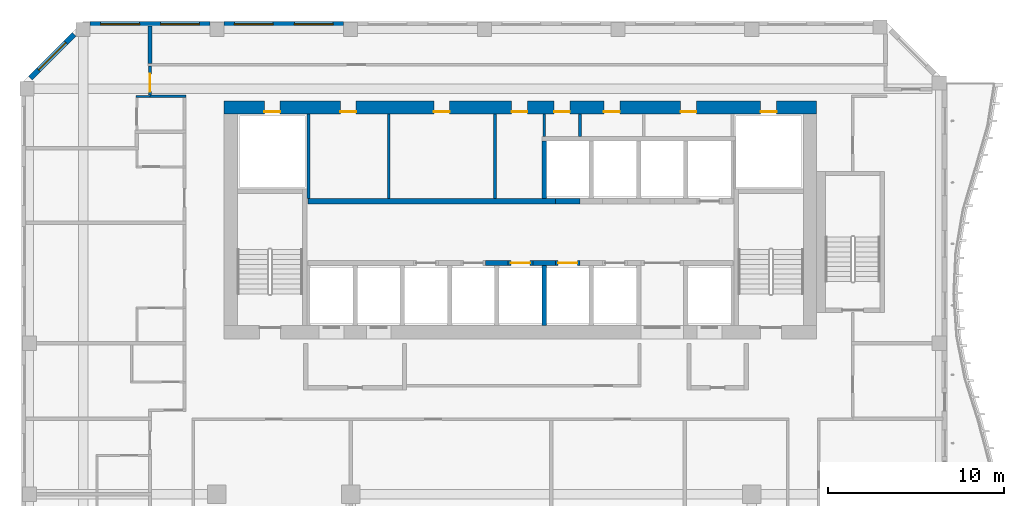
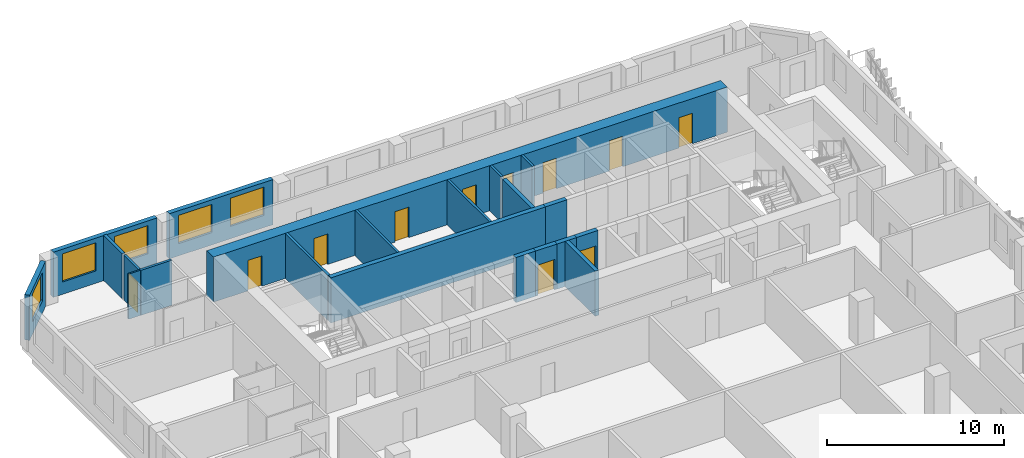
# One storey, part 8 of 21: 21 walls, 11 doors, 5 windows, 16 openings.
"""IFC4 building model written with IfcOpenShell, lengths in metres."""

import ifcopenshell
import ifcopenshell.guid

model = None  # the IFC model being written
_history = None  # IfcOwnerHistory: only IFC2X3 demands one
_inside = {}  # id of a spatial element -> (the spatial element, [elements in it])
_under = {}  # id of a project, library or spatial element -> (it, [spatial elements below it])
_declared = {}  # id of a project -> (the project, [libraries it declares])
_typed = {}  # id of a type object -> (the type object, [elements of that type])
_made_of = {}  # id of a material, layer set ... -> (it, [elements and type objects made of it])


def new_model(schema):
    """Start an empty IFC model of exactly this schema.

    Asked for "IFC4X3", IfcOpenShell would pick the latest addendum, in which some entities
    have other attributes; the version numbers below select the first issue.
    IFC2X3 requires an IfcOwnerHistory on every rooted entity: one is made here for all.
    """
    global model, _history
    if schema == "IFC4X3":
        model = ifcopenshell.file(schema_version=(4, 3, 0, 0))
    else:
        model = ifcopenshell.file(schema=schema)
    _inside.clear()
    _under.clear()
    _declared.clear()
    _typed.clear()
    _made_of.clear()
    _history = None
    if model.schema == "IFC2X3":
        org = make("IfcOrganization", Name="unknown")
        user = make(
            "IfcPersonAndOrganization",
            ThePerson=make("IfcPerson", FamilyName="unknown"),
            TheOrganization=org,
        )
        app = make(
            "IfcApplication",
            ApplicationDeveloper=org,
            Version="unknown",
            ApplicationFullName="unknown",
            ApplicationIdentifier="unknown",
        )
        _history = make(
            "IfcOwnerHistory",
            OwningUser=user,
            OwningApplication=app,
            ChangeAction="ADDED",
            CreationDate=0,
        )
    return model


def make(cls, **values):
    """One entity of the class cls with the attributes given. An attribute that is None is left unset."""
    return model.create_entity(
        cls, **{name: value for name, value in values.items() if value is not None}
    )


def rooted(cls, **values):
    """An entity with a GlobalId (a new one), such as an element, a storey or a relation."""
    return make(cls, GlobalId=ifcopenshell.guid.new(), OwnerHistory=_history, **values)


def si_unit(unit_type, name, prefix=None):
    """IfcSIUnit, for example si_unit("LENGTHUNIT", "METRE", prefix="MILLI")."""
    return make("IfcSIUnit", UnitType=unit_type, Prefix=prefix, Name=name)


def assignment(units):
    """IfcUnitAssignment: the units of a project."""
    return None if units is None else make("IfcUnitAssignment", Units=units)


def point(xyz):
    """IfcCartesianPoint."""
    return None if xyz is None else make("IfcCartesianPoint", Coordinates=xyz)


def direction(xyz):
    """IfcDirection."""
    return None if xyz is None else make("IfcDirection", DirectionRatios=xyz)


def frame(location, z_axis=None, x_axis=None):
    """IfcAxis2Placement3D, a coordinate frame: its origin and axes. An axis left out is left unset."""
    return make(
        "IfcAxis2Placement3D",
        Location=point(location),
        Axis=direction(z_axis),
        RefDirection=direction(x_axis),
    )


def frame_2d(location, x_axis=None):
    """IfcAxis2Placement2D, a coordinate frame in the plane: its origin and x axis."""
    return make(
        "IfcAxis2Placement2D", Location=point(location), RefDirection=direction(x_axis)
    )


def origin():
    """The frame at (0, 0, 0) with its axes left unset."""
    return frame((0.0, 0.0, 0.0))


def place(relative_to, where):
    """IfcLocalPlacement: puts the frame where relative to a parent placement (None: the world)."""
    return make(
        "IfcLocalPlacement", PlacementRelTo=relative_to, RelativePlacement=where
    )


def context(
    kind, dimensions, precision=None, world=None, true_north=None, identifier=None
):
    """IfcGeometricRepresentationContext, for example the 3D "Model" context."""
    return make(
        "IfcGeometricRepresentationContext",
        ContextIdentifier=identifier,
        ContextType=kind,
        CoordinateSpaceDimension=dimensions,
        Precision=precision,
        WorldCoordinateSystem=world,
        TrueNorth=true_north,
    )


def subcontext(parent, identifier, kind, view, scale=None):
    """IfcGeometricRepresentationSubContext, for example "Body" below "Model"."""
    return make(
        "IfcGeometricRepresentationSubContext",
        ContextIdentifier=identifier,
        ContextType=kind,
        ParentContext=parent,
        TargetScale=scale,
        TargetView=view,
    )


def project(units=None, contexts=None):
    """IfcProject with its units and contexts."""
    return rooted(
        "IfcProject",
        Name="project",
        RepresentationContexts=contexts,
        UnitsInContext=assignment(units),
    )


def spatial(cls, under=None, at=None, **own):
    """A site, building, storey or space (cls), placed at a placement, below another one or the project."""
    s = rooted(cls, ObjectPlacement=at, **own)
    if under is not None:
        _under.setdefault(under.id(), (under, []))[1].append(s)
    return s


def profile(cls, at=None, kind="AREA", **sizes):
    """A parametric profile (cls). Its sizes go by their IFC names, for example OverallWidth=200.0."""
    return make(cls, ProfileType=kind, Position=at, **sizes)


def rectangle(**sizes):
    """IfcRectangleProfileDef."""
    return profile("IfcRectangleProfileDef", **sizes)


def extrude(swept, where, along, depth):
    """IfcExtrudedAreaSolid: the profile swept, set in the frame where, extruded along a direction by depth."""
    return make(
        "IfcExtrudedAreaSolid",
        SweptArea=swept,
        Position=where,
        ExtrudedDirection=direction(along),
        Depth=depth,
    )


def shape(context_of_items, identifier, shape_type, items):
    """IfcShapeRepresentation: the items that make up one representation, for example the "Body"."""
    return make(
        "IfcShapeRepresentation",
        ContextOfItems=context_of_items,
        RepresentationIdentifier=identifier,
        RepresentationType=shape_type,
        Items=items,
    )


def source(mapping_origin, context_of_items, identifier, shape_type, items):
    """IfcRepresentationMap: a shape defined once, which mapped items show again and again."""
    return make(
        "IfcRepresentationMap",
        MappingOrigin=mapping_origin,
        MappedRepresentation=shape(context_of_items, identifier, shape_type, items),
    )


def transform(
    local_origin,
    x_axis=None,
    y_axis=None,
    z_axis=None,
    scale=None,
    scale2=None,
    scale3=None,
    uniform=True,
):
    """IfcCartesianTransformationOperator3D, or its non-uniform kind. x_axis, y_axis, z_axis: its Axis1, 2, 3."""
    if uniform:
        return make(
            "IfcCartesianTransformationOperator3D",
            Axis1=direction(x_axis),
            Axis2=direction(y_axis),
            LocalOrigin=point(local_origin),
            Scale=scale,
            Axis3=direction(z_axis),
        )
    return make(
        "IfcCartesianTransformationOperator3DnonUniform",
        Axis1=direction(x_axis),
        Axis2=direction(y_axis),
        LocalOrigin=point(local_origin),
        Scale=scale,
        Axis3=direction(z_axis),
        Scale2=scale2,
        Scale3=scale3,
    )


def mapped(mapping_source, mapping_target):
    """IfcMappedItem: shows the shape of a source again, moved by a transform."""
    return make(
        "IfcMappedItem", MappingSource=mapping_source, MappingTarget=mapping_target
    )


def material(Name=None, Category=None):
    """IfcMaterial."""
    return make("IfcMaterial", Name=Name, Category=Category)


def layer(
    of_material, thickness, ventilated=None, Name=None, Category=None, Priority=None
):
    """IfcMaterialLayer: one layer of a wall or slab, of a material (None: an air gap)."""
    return make(
        "IfcMaterialLayer",
        Material=of_material,
        LayerThickness=thickness,
        IsVentilated=ventilated,
        Name=Name,
        Category=Category,
        Priority=Priority,
    )


def layer_set(layers, Name=None):
    """IfcMaterialLayerSet."""
    return make("IfcMaterialLayerSet", MaterialLayers=layers, LayerSetName=Name)


def made_of(thing, what):
    """Note that an element or type object is made of a material, layer set ...; save() writes the relation."""
    if what is not None:
        _made_of.setdefault(what.id(), (what, []))[1].append(thing)
    return thing


def type_object(cls, material=None, **own):
    """A type object (cls), such as IfcWallType, which elements share."""
    return made_of(rooted(cls, **own), material)


def element(
    cls,
    number,
    at=None,
    inside=None,
    cuts=None,
    type_object=None,
    material=None,
    context=None,
    identifier="Body",
    shape_type=None,
    held_by="IfcProductDefinitionShape",
    body=None,
    shapes=None,
    **own,
):
    """One element of the class cls, such as IfcWall. Its Tag is "e" and its number.

    at: its placement. inside: the storey or other place that contains it. cuts: it is an
    opening in that element (IfcRelVoidsElement). A single representation is given by context,
    identifier, shape_type and body (its items); several are given by shapes. held_by: the class
    of the entity that holds the representations. save() writes the other relations.
    """
    e = rooted(cls, Tag="e%d" % number, ObjectPlacement=at, **own)
    if body is not None:
        shapes = [shape(context, identifier, shape_type, body)]
    if shapes is not None:
        e.Representation = make(held_by, Representations=shapes)
    if inside is not None:
        _inside.setdefault(inside.id(), (inside, []))[1].append(e)
    if cuts is not None:
        rooted(
            "IfcRelVoidsElement", RelatingBuildingElement=cuts, RelatedOpeningElement=e
        )
    if type_object is not None:
        _typed.setdefault(type_object.id(), (type_object, []))[1].append(e)
    return made_of(e, material)


def fill(opening, filler):
    """IfcRelFillsElement: the door or window that sits in an opening."""
    return rooted(
        "IfcRelFillsElement",
        RelatingOpeningElement=opening,
        RelatedBuildingElement=filler,
    )


def aggregate(whole, parts):
    """IfcRelAggregates: a whole, such as a stair, and the parts it consists of."""
    return rooted("IfcRelAggregates", RelatingObject=whole, RelatedObjects=parts)


def save(model, path):
    """Write the relations noted so far, then the file.

    IfcRelAggregates (storeys below a building ...), IfcRelContainedInSpatialStructure (elements
    in a storey), IfcRelDefinesByType, IfcRelAssociatesMaterial and IfcRelDeclares: one each for
    every whole, place, type object, material and project.
    """
    for whole, parts in _under.values():
        aggregate(whole, parts)
    for where, things in _inside.values():
        rooted(
            "IfcRelContainedInSpatialStructure",
            RelatedElements=things,
            RelatingStructure=where,
        )
    for kind, things in _typed.values():
        rooted("IfcRelDefinesByType", RelatedObjects=things, RelatingType=kind)
    for what, things in _made_of.values():
        rooted("IfcRelAssociatesMaterial", RelatedObjects=things, RelatingMaterial=what)
    for by, libraries in _declared.values():
        rooted("IfcRelDeclares", RelatingContext=by, RelatedDefinitions=libraries)
    model.write(path)


model = new_model("IFC4")

# Units and contexts
model_context = context("Model", 3, precision=1e-05, world=origin(), true_north=direction((0.0, 1.0)))
body_context = subcontext(model_context, "Body", "Model", "MODEL_VIEW")
ifc_project = project(units=[si_unit("LENGTHUNIT", "METRE"), si_unit("AREAUNIT", "SQUARE_METRE"), si_unit("VOLUMEUNIT", "CUBIC_METRE"), si_unit("PLANEANGLEUNIT", "RADIAN"), si_unit("MASSUNIT", "GRAM", prefix="KILO")], contexts=[model_context])

# Site, building, storey
site_placement = place(None, origin())
site = spatial("IfcSite", under=ifc_project, at=site_placement, CompositionType="ELEMENT")
building_placement = place(site_placement, origin())
building = spatial("IfcBuilding", under=site, at=building_placement, Name="Kilnfold Tower and Market Hall", CompositionType="ELEMENT")
storey_placement = place(building_placement, frame((0.0, 0.0, 182.10009765625)))
storey = spatial("IfcBuildingStorey", under=building, at=storey_placement, Name="L43", CompositionType="ELEMENT", Elevation=182.10009765625)

# Wall, opening, door
ifc_material_1 = material(Name="Gypsum board on steel studs", Category="steel")
ifc_layer_1 = layer(ifc_material_1, 0.14990234375)
ifc_layer_set_1 = layer_set([ifc_layer_1], Name="Gypsum board on steel studs")
wall_type_1 = type_object("IfcWallType", Name="WALL CORRIDOR 150", PredefinedType="PARTITIONING", material=ifc_layer_set_1)
wall_1_placement = place(storey_placement, frame((-19.958984375, 22.074951171875, 0.0), z_axis=(0.0, 0.0, 1.0), x_axis=(0.0, 1.0, 0.0)))
wall_1 = element("IfcWall", 1, at=wall_1_placement, inside=storey, type_object=wall_type_1, Name="Partition LY27.26", PredefinedType="PARTITIONING", context=body_context, shape_type="SweptSolid", body=[
    extrude(rectangle(XDim=1.650146484375, YDim=0.14990234375, at=frame_2d((0.8251953125, 0.0))), origin(), (0.0, 0.0, 1.0), 3.119873046875),
])
opening_1_placement = place(wall_1_placement, frame((0.199951171875, 0.0, 0.0)))
opening_1 = element("IfcOpeningElement", 2, at=opening_1_placement, cuts=wall_1, Name="Opening D1", PredefinedType="OPENING", context=body_context, shape_type="SweptSolid", body=[
    extrude(rectangle(XDim=1.0, YDim=2.10009765625, at=frame_2d((0.5, 1.050048828125))), frame((0.0, 0.0849609375, 0.0), z_axis=(0.0, -1.0, 0.0), x_axis=(1.0, 0.0, 0.0)), (0.0, 0.0, 1.0), 0.169921875),
])
ifc_material_2 = material(Name="Timber veneer door leaf in steel frame", Category="steel")
door_type_1 = type_object("IfcDoorType", Name="DOOR ENTRY 1000 X2100", OperationType="NOTDEFINED", PredefinedType="DOOR", material=ifc_material_2)
door_1_placement = place(opening_1_placement, origin())
door_1 = element("IfcDoor", 3, at=door_1_placement, inside=storey, type_object=door_type_1, Name="Door D1", OperationType="SINGLE_SWING_LEFT", OverallHeight=2.10009765625, OverallWidth=1.0, PredefinedType="DOOR", context=body_context, shape_type="SweptSolid", body=[
    extrude(rectangle(XDim=1.0, YDim=2.10009765625, at=frame_2d((0.5, 1.050048828125))), frame((0.0, 0.02490234375, 0.0), z_axis=(0.0, -1.0, 0.0), x_axis=(1.0, 0.0, 0.0)), (0.0, 0.0, 1.0), 0.050048828125),
])
fill(opening_1, door_1)

# Walls
wall_2_placement = place(storey_placement, frame((-19.958984375, 22.0, 0.0), z_axis=(0.0, 0.0, 1.0), x_axis=(1.0, 0.0, 0.0)))
element("IfcWall", 4, at=wall_2_placement, inside=storey, type_object=wall_type_1, Name="Partition LY27.28", PredefinedType="PARTITIONING", context=body_context, shape_type="SweptSolid", body=[
    extrude(rectangle(XDim=2.033935546875, YDim=0.14990234375, at=frame_2d((1.01708984375, 0.0))), origin(), (0.0, 0.0, 1.0), 3.119873046875),
])
ifc_material_3 = material(Name="Gypsum board on steel studs", Category="steel")
ifc_layer_2 = layer(ifc_material_3, 0.10009765625)
ifc_layer_set_2 = layer_set([ifc_layer_2], Name="Gypsum board on steel studs")
wall_type_2 = type_object("IfcWallType", Name="WALL PARTITION 100", PredefinedType="PARTITIONING", material=ifc_layer_set_2)
wall_3_placement = place(storey_placement, frame((-20.751953125, 22.0, 0.0), z_axis=(0.0, 0.0, 1.0), x_axis=(1.0, 0.0, 0.0)))
element("IfcWall", 5, at=wall_3_placement, inside=storey, type_object=wall_type_2, Name="Partition LY27.108", PredefinedType="PARTITIONING", context=body_context, shape_type="SweptSolid", body=[
    extrude(rectangle(XDim=0.791015625, YDim=0.10009765625, at=frame_2d((0.3955078125, 0.0))), origin(), (0.0, 0.0, 1.0), 3.119873046875),
])
ifc_material_4 = material(Name="Gypsum board on steel studs", Category="steel")
ifc_layer_3 = layer(ifc_material_4, 0.199951171875)
ifc_layer_set_3 = layer_set([ifc_layer_3], Name="Gypsum board on steel studs")
wall_type_3 = type_object("IfcWallType", Name="WALL PARTY 200", PredefinedType="PARTITIONING", material=ifc_layer_set_3)
wall_4_placement = place(storey_placement, frame((-19.958984375, 23.876953125, 0.0), z_axis=(0.0, 0.0, 1.0), x_axis=(0.0, 1.0, 0.0)))
element("IfcWall", 6, at=wall_4_placement, inside=storey, type_object=wall_type_3, Name="Partition LY27.110", PredefinedType="PARTITIONING", context=body_context, shape_type="SweptSolid", body=[
    extrude(rectangle(XDim=2.123046875, YDim=0.199951171875, at=frame_2d((1.0615234375, 0.0))), origin(), (0.0, 0.0, 1.0), 3.119873046875),
])
ifc_material_5 = material(Name="Concrete C60", Category="concrete")
ifc_layer_4 = layer(ifc_material_5, 0.300048828125)
ifc_layer_set_4 = layer_set([ifc_layer_4], Name="Concrete C60")
wall_type_4 = type_object("IfcWallType", Name="CORE WALL 300 C60", PredefinedType="SHEAR", material=ifc_layer_set_4)
shared_shape_1 = source(origin(), body_context, "Body", "SweptSolid", [
    extrude(rectangle(XDim=1.280029296875, YDim=0.300048828125, at=frame_2d((0.64013671875, 0.0))), origin(), (0.0, 0.0, 1.0), 3.119873046875),
])
for number, where, z_axis, x_axis, name in (
    (7, (-0.929931640625, 12.550048828125, 0.0), (0.0, 0.0, 1.0), (1.0, 0.0, 0.0), "Core spine wall"),
    (8, (1.75, 12.550048828125, 0.0), (0.0, 0.0, 1.0), (1.0, 0.0, 0.0), "Core spine wall"),
):
    element("IfcWall", number, at=place(storey_placement, frame(where, z_axis=z_axis, x_axis=x_axis)), inside=storey, type_object=wall_type_4, Name=name, PredefinedType="SHEAR", context=body_context, shape_type="MappedRepresentation", body=[
        mapped(shared_shape_1, transform((0.0, 0.0, 0.0))),
    ])
shared_shape_2 = source(origin(), body_context, "Body", "SweptSolid", [
    extrude(rectangle(XDim=14.0400390625, YDim=0.300048828125, at=frame_2d((7.02001953125, 0.0))), origin(), (0.0, 0.0, 1.0), 3.119873046875),
])
wall_5_placement = place(storey_placement, frame((-11.010009765625, 16.050048828125, 0.0), z_axis=(0.0, 0.0, 1.0), x_axis=(1.0, 0.0, 0.0)))
element("IfcWall", 9, at=wall_5_placement, inside=storey, type_object=wall_type_4, Name="Core spine wall", PredefinedType="SHEAR", context=body_context, shape_type="MappedRepresentation", body=[
    mapped(shared_shape_2, transform((0.0, 0.0, 0.0))),
])

# Wall, openings, doors
ifc_material_6 = material(Name="Concrete C60", Category="concrete")
ifc_layer_5 = layer(ifc_material_6, 0.75)
ifc_layer_set_5 = layer_set([ifc_layer_5], Name="Concrete C60")
wall_type_5 = type_object("IfcWallType", Name="CORE WALL 750 C60", PredefinedType="SHEAR", material=ifc_layer_set_5)
shared_shape_3 = source(origin(), body_context, "Body", "SweptSolid", [
    extrude(rectangle(XDim=33.60009765625, YDim=0.75, at=frame_2d((16.800048828125, 0.0))), origin(), (0.0, 0.0, 1.0), 3.119873046875),
])
wall_6_placement = place(storey_placement, frame((-15.75, 21.375, 0.0), z_axis=(0.0, 0.0, 1.0), x_axis=(1.0, 0.0, 0.0)))
wall_6 = element("IfcWall", 10, at=wall_6_placement, inside=storey, type_object=wall_type_5, Name="Core outer wall north", PredefinedType="SHEAR", context=body_context, shape_type="MappedRepresentation", body=[
    mapped(shared_shape_3, transform((0.0, 0.0, 0.0))),
])
opening_2_placement = place(wall_6_placement, frame((6.581298828125, 0.0, 0.0)))
opening_2 = element("IfcOpeningElement", 11, at=opening_2_placement, cuts=wall_6, Name="Opening KD1", PredefinedType="OPENING", context=body_context, shape_type="SweptSolid", body=[
    extrude(rectangle(XDim=0.89990234375, YDim=2.10009765625, at=frame_2d((0.449951171875, 1.050048828125))), frame((0.0, 0.385009765625, 0.0), z_axis=(0.0, -1.0, 0.0), x_axis=(1.0, 0.0, 0.0)), (0.0, 0.0, 1.0), 0.77001953125),
])
opening_3_placement = place(wall_6_placement, frame((11.8876953125, 0.0, 0.0)))
opening_3 = element("IfcOpeningElement", 12, at=opening_3_placement, cuts=wall_6, Name="Opening KD1", PredefinedType="OPENING", context=body_context, shape_type="SweptSolid", body=[
    extrude(rectangle(XDim=0.89990234375, YDim=2.10009765625, at=frame_2d((0.449951171875, 1.050048828125))), frame((0.0, 0.385009765625, 0.0), z_axis=(0.0, -1.0, 0.0), x_axis=(1.0, 0.0, 0.0)), (0.0, 0.0, 1.0), 0.77001953125),
])
opening_4_placement = place(wall_6_placement, frame((16.29638671875, 0.0, 0.0)))
opening_4 = element("IfcOpeningElement", 13, at=opening_4_placement, cuts=wall_6, Name="Opening KD1", PredefinedType="OPENING", context=body_context, shape_type="SweptSolid", body=[
    extrude(rectangle(XDim=0.89990234375, YDim=2.10009765625, at=frame_2d((0.449951171875, 1.050048828125))), frame((0.0, 0.385009765625, 0.0), z_axis=(0.0, -1.0, 0.0), x_axis=(1.0, 0.0, 0.0)), (0.0, 0.0, 1.0), 0.77001953125),
])
opening_5_placement = place(wall_6_placement, frame((18.70849609375, 0.0, 0.0)))
opening_5 = element("IfcOpeningElement", 14, at=opening_5_placement, cuts=wall_6, Name="Opening KD1", PredefinedType="OPENING", context=body_context, shape_type="SweptSolid", body=[
    extrude(rectangle(XDim=0.89990234375, YDim=2.10009765625, at=frame_2d((0.449951171875, 1.050048828125))), frame((0.0, 0.385009765625, 0.0), z_axis=(0.0, -1.0, 0.0), x_axis=(1.0, 0.0, 0.0)), (0.0, 0.0, 1.0), 0.77001953125),
])
opening_6_placement = place(wall_6_placement, frame((21.535888671875, 0.0, 0.0)))
opening_6 = element("IfcOpeningElement", 15, at=opening_6_placement, cuts=wall_6, Name="Opening KD1", PredefinedType="OPENING", context=body_context, shape_type="SweptSolid", body=[
    extrude(rectangle(XDim=0.89990234375, YDim=2.10009765625, at=frame_2d((0.449951171875, 1.050048828125))), frame((0.0, 0.385009765625, 0.0), z_axis=(0.0, -1.0, 0.0), x_axis=(1.0, 0.0, 0.0)), (0.0, 0.0, 1.0), 0.77001953125),
])
opening_7_placement = place(wall_6_placement, frame((25.87744140625, 0.0, 0.0)))
opening_7 = element("IfcOpeningElement", 16, at=opening_7_placement, cuts=wall_6, Name="Opening KD1", PredefinedType="OPENING", context=body_context, shape_type="SweptSolid", body=[
    extrude(rectangle(XDim=0.89990234375, YDim=2.10009765625, at=frame_2d((0.449951171875, 1.050048828125))), frame((0.0, 0.385009765625, 0.0), z_axis=(0.0, -1.0, 0.0), x_axis=(1.0, 0.0, 0.0)), (0.0, 0.0, 1.0), 0.77001953125),
])
opening_8_placement = place(wall_6_placement, frame((2.27490234375, 0.0, 0.0)))
opening_8 = element("IfcOpeningElement", 17, at=opening_8_placement, cuts=wall_6, Name="Opening KD1", PredefinedType="OPENING", context=body_context, shape_type="SweptSolid", body=[
    extrude(rectangle(XDim=0.89990234375, YDim=2.10009765625, at=frame_2d((0.449951171875, 1.050048828125))), frame((0.0, 0.385009765625, 0.0), z_axis=(0.0, -1.0, 0.0), x_axis=(1.0, 0.0, 0.0)), (0.0, 0.0, 1.0), 0.77001953125),
])
opening_9_placement = place(wall_6_placement, frame((30.425048828125, 0.0, 0.0)))
opening_9 = element("IfcOpeningElement", 18, at=opening_9_placement, cuts=wall_6, Name="Opening KD1", PredefinedType="OPENING", context=body_context, shape_type="SweptSolid", body=[
    extrude(rectangle(XDim=0.89990234375, YDim=2.10009765625, at=frame_2d((0.449951171875, 1.050048828125))), frame((0.0, 0.385009765625, 0.0), z_axis=(0.0, -1.0, 0.0), x_axis=(1.0, 0.0, 0.0)), (0.0, 0.0, 1.0), 0.77001953125),
])
ifc_material_7 = material(Name="Steel door set with fire-resisting leaf", Category="steel")
door_type_2 = type_object("IfcDoorType", Name="SERVICE DOOR 900X2100", OperationType="NOTDEFINED", PredefinedType="DOOR", material=ifc_material_7)
door_2_placement = place(opening_2_placement, origin())
door_2 = element("IfcDoor", 19, at=door_2_placement, inside=storey, type_object=door_type_2, Name="Core service door", OperationType="SINGLE_SWING_RIGHT", OverallHeight=2.10009765625, OverallWidth=0.89990234375, PredefinedType="DOOR", context=body_context, shape_type="SweptSolid", body=[
    extrude(rectangle(XDim=0.89990234375, YDim=2.10009765625, at=frame_2d((0.449951171875, 1.050048828125))), frame((0.0, -0.22998046875, 0.0), z_axis=(0.0, -1.0, 0.0), x_axis=(1.0, 0.0, 0.0)), (0.0, 0.0, 1.0), 0.050048828125),
])
fill(opening_2, door_2)
door_3_placement = place(opening_3_placement, origin())
door_3 = element("IfcDoor", 20, at=door_3_placement, inside=storey, type_object=door_type_2, Name="Core service door", OperationType="SINGLE_SWING_LEFT", OverallHeight=2.10009765625, OverallWidth=0.89990234375, PredefinedType="DOOR", context=body_context, shape_type="SweptSolid", body=[
    extrude(rectangle(XDim=0.89990234375, YDim=2.10009765625, at=frame_2d((0.449951171875, 1.050048828125))), frame((0.0, -0.22998046875, 0.0), z_axis=(0.0, -1.0, 0.0), x_axis=(1.0, 0.0, 0.0)), (0.0, 0.0, 1.0), 0.050048828125),
])
fill(opening_3, door_3)
door_4_placement = place(opening_4_placement, origin())
door_4 = element("IfcDoor", 21, at=door_4_placement, inside=storey, type_object=door_type_2, Name="Core service door", OperationType="SINGLE_SWING_RIGHT", OverallHeight=2.10009765625, OverallWidth=0.89990234375, PredefinedType="DOOR", context=body_context, shape_type="SweptSolid", body=[
    extrude(rectangle(XDim=0.89990234375, YDim=2.10009765625, at=frame_2d((0.449951171875, 1.050048828125))), frame((0.0, -0.22998046875, 0.0), z_axis=(0.0, -1.0, 0.0), x_axis=(1.0, 0.0, 0.0)), (0.0, 0.0, 1.0), 0.050048828125),
])
fill(opening_4, door_4)
door_5_placement = place(opening_5_placement, origin())
door_5 = element("IfcDoor", 22, at=door_5_placement, inside=storey, type_object=door_type_2, Name="Core service door", OperationType="SINGLE_SWING_LEFT", OverallHeight=2.10009765625, OverallWidth=0.89990234375, PredefinedType="DOOR", context=body_context, shape_type="SweptSolid", body=[
    extrude(rectangle(XDim=0.89990234375, YDim=2.10009765625, at=frame_2d((0.449951171875, 1.050048828125))), frame((0.0, -0.22998046875, 0.0), z_axis=(0.0, -1.0, 0.0), x_axis=(1.0, 0.0, 0.0)), (0.0, 0.0, 1.0), 0.050048828125),
])
fill(opening_5, door_5)
door_6_placement = place(opening_6_placement, origin())
door_6 = element("IfcDoor", 23, at=door_6_placement, inside=storey, type_object=door_type_2, Name="Core service door", OperationType="SINGLE_SWING_RIGHT", OverallHeight=2.10009765625, OverallWidth=0.89990234375, PredefinedType="DOOR", context=body_context, shape_type="SweptSolid", body=[
    extrude(rectangle(XDim=0.89990234375, YDim=2.10009765625, at=frame_2d((0.449951171875, 1.050048828125))), frame((0.0, -0.22998046875, 0.0), z_axis=(0.0, -1.0, 0.0), x_axis=(1.0, 0.0, 0.0)), (0.0, 0.0, 1.0), 0.050048828125),
])
fill(opening_6, door_6)
door_7_placement = place(opening_7_placement, origin())
door_7 = element("IfcDoor", 24, at=door_7_placement, inside=storey, type_object=door_type_2, Name="Core service door", OperationType="SINGLE_SWING_LEFT", OverallHeight=2.10009765625, OverallWidth=0.89990234375, PredefinedType="DOOR", context=body_context, shape_type="SweptSolid", body=[
    extrude(rectangle(XDim=0.89990234375, YDim=2.10009765625, at=frame_2d((0.449951171875, 1.050048828125))), frame((0.0, -0.22998046875, 0.0), z_axis=(0.0, -1.0, 0.0), x_axis=(1.0, 0.0, 0.0)), (0.0, 0.0, 1.0), 0.050048828125),
])
fill(opening_7, door_7)
door_8_placement = place(opening_8_placement, origin())
door_8 = element("IfcDoor", 25, at=door_8_placement, inside=storey, type_object=door_type_2, Name="Electrical riser access door", OperationType="SINGLE_SWING_RIGHT", OverallHeight=2.10009765625, OverallWidth=0.89990234375, PredefinedType="DOOR", context=body_context, shape_type="SweptSolid", body=[
    extrude(rectangle(XDim=0.89990234375, YDim=2.10009765625, at=frame_2d((0.449951171875, 1.050048828125))), frame((0.0, -0.22998046875, 0.0), z_axis=(0.0, -1.0, 0.0), x_axis=(1.0, 0.0, 0.0)), (0.0, 0.0, 1.0), 0.050048828125),
])
fill(opening_8, door_8)
door_9_placement = place(opening_9_placement, origin())
door_9 = element("IfcDoor", 26, at=door_9_placement, inside=storey, type_object=door_type_2, Name="Mechanical riser access door", OperationType="SINGLE_SWING_LEFT", OverallHeight=2.10009765625, OverallWidth=0.89990234375, PredefinedType="DOOR", context=body_context, shape_type="SweptSolid", body=[
    extrude(rectangle(XDim=0.89990234375, YDim=2.10009765625, at=frame_2d((0.449951171875, 1.050048828125))), frame((0.0, -0.22998046875, 0.0), z_axis=(0.0, -1.0, 0.0), x_axis=(1.0, 0.0, 0.0)), (0.0, 0.0, 1.0), 0.050048828125),
])
fill(opening_9, door_9)

# Wall, openings, windows
ifc_material_8 = material(Name="Precast concrete C50/60", Category="concrete")
ifc_layer_6 = layer(ifc_material_8, 0.300048828125)
ifc_layer_set_6 = layer_set([ifc_layer_6], Name="Precast concrete C50/60")
wall_type_6 = type_object("IfcWallType", Name="PRECAST WALL 300", PredefinedType="SOLIDWALL", material=ifc_layer_set_6)
shared_shape_4 = source(origin(), body_context, "Body", "SweptSolid", [
    extrude(rectangle(XDim=6.783447265625, YDim=0.300048828125, at=frame_2d((3.3916015625, 0.0))), origin(), (0.0, 0.0, 1.0), 3.119873046875),
])
wall_7_placement = place(storey_placement, frame((-16.566650390625, 26.10009765625, 0.0), z_axis=(0.0, 0.0, 1.0), x_axis=(-1.0, 0.0, 0.0)))
wall_7 = element("IfcWall", 27, at=wall_7_placement, inside=storey, type_object=wall_type_6, Name="External wall L43 N", PredefinedType="SOLIDWALL", context=body_context, shape_type="MappedRepresentation", body=[
    mapped(shared_shape_4, transform((0.0, 0.0, 0.0))),
])
opening_10_placement = place(wall_7_placement, frame((0.595703125, 0.0, 0.85009765625)))
opening_10 = element("IfcOpeningElement", 28, at=opening_10_placement, cuts=wall_7, Name="Opening W2", PredefinedType="OPENING", context=body_context, shape_type="SweptSolid", body=[
    extrude(rectangle(XDim=2.199951171875, YDim=1.949951171875, at=frame_2d((1.10009765625, 0.97509765625))), frame((0.0, 0.16015625, 0.0), z_axis=(0.0, -1.0, 0.0), x_axis=(1.0, 0.0, 0.0)), (0.0, 0.0, 1.0), 0.320068359375),
])
opening_11_placement = place(wall_7_placement, frame((3.987548828125, 0.0, 0.85009765625)))
opening_11 = element("IfcOpeningElement", 29, at=opening_11_placement, cuts=wall_7, Name="Opening W2", PredefinedType="OPENING", context=body_context, shape_type="SweptSolid", body=[
    extrude(rectangle(XDim=2.199951171875, YDim=1.949951171875, at=frame_2d((1.10009765625, 0.97509765625))), frame((0.0, 0.16015625, 0.0), z_axis=(0.0, -1.0, 0.0), x_axis=(1.0, 0.0, 0.0)), (0.0, 0.0, 1.0), 0.320068359375),
])
ifc_material_9 = material(Name="Aluminium frame and double glazing", Category="aluminium")
window_type = type_object("IfcWindowType", Name="WINDOW W2 2200X1950", PartitioningType="SINGLE_PANEL", PredefinedType="WINDOW", material=ifc_material_9)
window_1_placement = place(opening_10_placement, origin())
window_1 = element("IfcWindow", 30, at=window_1_placement, inside=storey, type_object=window_type, Name="Window W2 L43 N-1", OverallHeight=1.949951171875, OverallWidth=2.199951171875, PartitioningType="SINGLE_PANEL", PredefinedType="WINDOW", context=body_context, shape_type="SweptSolid", body=[
    extrude(rectangle(XDim=2.199951171875, YDim=1.949951171875, at=frame_2d((1.10009765625, 0.97509765625))), frame((0.0, 0.030029296875, 0.0), z_axis=(0.0, -1.0, 0.0), x_axis=(1.0, 0.0, 0.0)), (0.0, 0.0, 1.0), 0.06005859375),
])
fill(opening_10, window_1)
window_2_placement = place(opening_11_placement, origin())
window_2 = element("IfcWindow", 31, at=window_2_placement, inside=storey, type_object=window_type, Name="Window W2 L43 N-2", OverallHeight=1.949951171875, OverallWidth=2.199951171875, PartitioningType="SINGLE_PANEL", PredefinedType="WINDOW", context=body_context, shape_type="SweptSolid", body=[
    extrude(rectangle(XDim=2.199951171875, YDim=1.949951171875, at=frame_2d((1.10009765625, 0.97509765625))), frame((0.0, 0.030029296875, 0.0), z_axis=(0.0, -1.0, 0.0), x_axis=(1.0, 0.0, 0.0)), (0.0, 0.0, 1.0), 0.06005859375),
])
fill(opening_11, window_2)

shared_shape_5 = source(origin(), body_context, "Body", "SweptSolid", [
    extrude(rectangle(XDim=6.783203125, YDim=0.300048828125, at=frame_2d((3.3916015625, 0.0))), origin(), (0.0, 0.0, 1.0), 3.119873046875),
])
wall_8_placement = place(storey_placement, frame((-8.9833984375, 26.10009765625, 0.0), z_axis=(0.0, 0.0, 1.0), x_axis=(-1.0, 0.0, 0.0)))
wall_8 = element("IfcWall", 32, at=wall_8_placement, inside=storey, type_object=wall_type_6, Name="External wall L43 N", PredefinedType="SOLIDWALL", context=body_context, shape_type="MappedRepresentation", body=[
    mapped(shared_shape_5, transform((0.0, 0.0, 0.0))),
])
opening_12_placement = place(wall_8_placement, frame((0.595703125, 0.0, 0.85009765625)))
opening_12 = element("IfcOpeningElement", 33, at=opening_12_placement, cuts=wall_8, Name="Opening W2", PredefinedType="OPENING", context=body_context, shape_type="SweptSolid", body=[
    extrude(rectangle(XDim=2.199951171875, YDim=1.949951171875, at=frame_2d((1.10009765625, 0.97509765625))), frame((0.0, 0.16015625, 0.0), z_axis=(0.0, -1.0, 0.0), x_axis=(1.0, 0.0, 0.0)), (0.0, 0.0, 1.0), 0.320068359375),
])
opening_13_placement = place(wall_8_placement, frame((3.987548828125, 0.0, 0.85009765625)))
opening_13 = element("IfcOpeningElement", 34, at=opening_13_placement, cuts=wall_8, Name="Opening W2", PredefinedType="OPENING", context=body_context, shape_type="SweptSolid", body=[
    extrude(rectangle(XDim=2.199951171875, YDim=1.949951171875, at=frame_2d((1.10009765625, 0.97509765625))), frame((0.0, 0.16015625, 0.0), z_axis=(0.0, -1.0, 0.0), x_axis=(1.0, 0.0, 0.0)), (0.0, 0.0, 1.0), 0.320068359375),
])
window_3_placement = place(opening_12_placement, origin())
window_3 = element("IfcWindow", 35, at=window_3_placement, inside=storey, type_object=window_type, Name="Window W2 L43 N-1", OverallHeight=1.949951171875, OverallWidth=2.199951171875, PartitioningType="SINGLE_PANEL", PredefinedType="WINDOW", context=body_context, shape_type="SweptSolid", body=[
    extrude(rectangle(XDim=2.199951171875, YDim=1.949951171875, at=frame_2d((1.10009765625, 0.97509765625))), frame((0.0, 0.030029296875, 0.0), z_axis=(0.0, -1.0, 0.0), x_axis=(1.0, 0.0, 0.0)), (0.0, 0.0, 1.0), 0.06005859375),
])
fill(opening_12, window_3)
window_4_placement = place(opening_13_placement, origin())
window_4 = element("IfcWindow", 36, at=window_4_placement, inside=storey, type_object=window_type, Name="Window W2 L43 N-2", OverallHeight=1.949951171875, OverallWidth=2.199951171875, PartitioningType="SINGLE_PANEL", PredefinedType="WINDOW", context=body_context, shape_type="SweptSolid", body=[
    extrude(rectangle(XDim=2.199951171875, YDim=1.949951171875, at=frame_2d((1.10009765625, 0.97509765625))), frame((0.0, 0.030029296875, 0.0), z_axis=(0.0, -1.0, 0.0), x_axis=(1.0, 0.0, 0.0)), (0.0, 0.0, 1.0), 0.06005859375),
])
fill(opening_13, window_4)

# Wall, opening, window
shared_shape_6 = source(origin(), body_context, "Body", "SweptSolid", [
    extrude(rectangle(XDim=3.500244140625, YDim=0.300048828125, at=frame_2d((1.75, 0.0))), origin(), (0.0, 0.0, 1.0), 3.119873046875),
])
wall_9_placement = place(storey_placement, frame((-24.268798828125, 25.518798828125, 0.0), z_axis=(0.0, 0.0, 1.0), x_axis=(-0.707141656123, -0.70707190453, 0.0)))
wall_9 = element("IfcWall", 37, at=wall_9_placement, inside=storey, type_object=wall_type_6, Name="External wall L43 NW", PredefinedType="SOLIDWALL", context=body_context, shape_type="MappedRepresentation", body=[
    mapped(shared_shape_6, transform((0.0, 0.0, 0.0))),
])
opening_14_placement = place(wall_9_placement, frame((0.650146484375, 0.0, 0.85009765625)))
opening_14 = element("IfcOpeningElement", 38, at=opening_14_placement, cuts=wall_9, Name="Opening W2", PredefinedType="OPENING", context=body_context, shape_type="SweptSolid", body=[
    extrude(rectangle(XDim=2.199951171875, YDim=1.949951171875, at=frame_2d((1.10009765625, 0.97509765625))), frame((0.0, 0.16015625, 0.0), z_axis=(0.0, -1.0, 0.0), x_axis=(1.0, 0.0, 0.0)), (0.0, 0.0, 1.0), 0.320068359375),
])
window_5_placement = place(opening_14_placement, origin())
window_5 = element("IfcWindow", 39, at=window_5_placement, inside=storey, type_object=window_type, Name="Window W2 L43 NW-1", OverallHeight=1.949951171875, OverallWidth=2.199951171875, PartitioningType="SINGLE_PANEL", PredefinedType="WINDOW", context=body_context, shape_type="SweptSolid", body=[
    extrude(rectangle(XDim=2.199951171875, YDim=1.949951171875, at=frame_2d((1.10009765625, 0.97509765625))), frame((0.0, 0.030029296875, 0.0), z_axis=(0.0, -1.0, 0.0), x_axis=(1.0, 0.0, 0.0)), (0.0, 0.0, 1.0), 0.06005859375),
])
fill(opening_14, window_5)

# Wall, opening, door
ifc_material_10 = material(Name="Gypsum shaft wall system")
ifc_layer_7 = layer(ifc_material_10, 0.300048828125)
ifc_layer_set_7 = layer_set([ifc_layer_7], Name="Gypsum shaft wall system")
wall_type_7 = type_object("IfcWallType", Name="SHAFT WALL 300", PredefinedType="PARTITIONING", material=ifc_layer_set_7)
shared_shape_7 = source(origin(), body_context, "Body", "SweptSolid", [
    extrude(rectangle(XDim=1.39990234375, YDim=0.300048828125, at=frame_2d((0.699951171875, 0.0))), origin(), (0.0, 0.0, 1.0), 3.119873046875),
])
wall_10_placement = place(storey_placement, frame((0.35009765625, 12.550048828125, 0.0), z_axis=(0.0, 0.0, 1.0), x_axis=(1.0, 0.0, 0.0)))
wall_10 = element("IfcWall", 40, at=wall_10_placement, inside=storey, type_object=wall_type_7, Name="Lift shaft front wall", PredefinedType="PARTITIONING", context=body_context, shape_type="MappedRepresentation", body=[
    mapped(shared_shape_7, transform((0.0, 0.0, 0.0))),
])
opening_15_placement = place(wall_10_placement, frame((0.14990234375, 0.0, 0.0)))
opening_15 = element("IfcOpeningElement", 41, at=opening_15_placement, cuts=wall_10, Name="Opening LD2", PredefinedType="OPENING", context=body_context, shape_type="SweptSolid", body=[
    extrude(rectangle(XDim=1.10009765625, YDim=2.10009765625, at=frame_2d((0.550048828125, 1.050048828125))), frame((0.0, 0.16015625, 0.0), z_axis=(0.0, -1.0, 0.0), x_axis=(1.0, 0.0, 0.0)), (0.0, 0.0, 1.0), 0.320068359375),
])
ifc_material_11 = material(Name="Steel door set with fire-resisting leaf", Category="steel")
door_type_3 = type_object("IfcDoorType", Name="LANDING DOOR 1100X2100", OperationType="NOTDEFINED", PredefinedType="DOOR", material=ifc_material_11)
door_10_placement = place(opening_15_placement, origin())
door_10 = element("IfcDoor", 42, at=door_10_placement, inside=storey, type_object=door_type_3, Name="Landing door MR3", OperationType="DOUBLE_DOOR_SLIDING", OverallHeight=2.10009765625, OverallWidth=1.10009765625, PredefinedType="DOOR", context=body_context, shape_type="SweptSolid", body=[
    extrude(rectangle(XDim=1.10009765625, YDim=2.10009765625, at=frame_2d((0.550048828125, 1.050048828125))), frame((0.0, 0.02490234375, 0.0), z_axis=(0.0, -1.0, 0.0), x_axis=(1.0, 0.0, 0.0)), (0.0, 0.0, 1.0), 0.050048828125),
])
fill(opening_15, door_10)

wall_11_placement = place(storey_placement, frame((3.030029296875, 12.550048828125, 0.0), z_axis=(0.0, 0.0, 1.0), x_axis=(1.0, 0.0, 0.0)))
wall_11 = element("IfcWall", 43, at=wall_11_placement, inside=storey, type_object=wall_type_7, Name="Lift shaft front wall", PredefinedType="PARTITIONING", context=body_context, shape_type="MappedRepresentation", body=[
    mapped(shared_shape_7, transform((0.0, 0.0, 0.0))),
])
opening_16_placement = place(wall_11_placement, frame((0.14990234375, 0.0, 0.0)))
opening_16 = element("IfcOpeningElement", 44, at=opening_16_placement, cuts=wall_11, Name="Opening LD2", PredefinedType="OPENING", context=body_context, shape_type="SweptSolid", body=[
    extrude(rectangle(XDim=1.10009765625, YDim=2.10009765625, at=frame_2d((0.550048828125, 1.050048828125))), frame((0.0, 0.16015625, 0.0), z_axis=(0.0, -1.0, 0.0), x_axis=(1.0, 0.0, 0.0)), (0.0, 0.0, 1.0), 0.320068359375),
])
door_11_placement = place(opening_16_placement, origin())
door_11 = element("IfcDoor", 45, at=door_11_placement, inside=storey, type_object=door_type_3, Name="Landing door MR4", OperationType="DOUBLE_DOOR_SLIDING", OverallHeight=2.10009765625, OverallWidth=1.10009765625, PredefinedType="DOOR", context=body_context, shape_type="SweptSolid", body=[
    extrude(rectangle(XDim=1.10009765625, YDim=2.10009765625, at=frame_2d((0.550048828125, 1.050048828125))), frame((0.0, 0.02490234375, 0.0), z_axis=(0.0, -1.0, 0.0), x_axis=(1.0, 0.0, 0.0)), (0.0, 0.0, 1.0), 0.050048828125),
])
fill(opening_16, door_11)

# Walls
wall_12_placement = place(storey_placement, frame((3.030029296875, 16.050048828125, 0.0), z_axis=(0.0, 0.0, 1.0), x_axis=(1.0, 0.0, 0.0)))
element("IfcWall", 46, at=wall_12_placement, inside=storey, type_object=wall_type_7, Name="Lift shaft front wall", PredefinedType="PARTITIONING", context=body_context, shape_type="MappedRepresentation", body=[
    mapped(shared_shape_7, transform((0.0, 0.0, 0.0))),
])
ifc_material_12 = material(Name="Gypsum shaft wall system")
ifc_layer_8 = layer(ifc_material_12, 0.1650390625)
ifc_layer_set_8 = layer_set([ifc_layer_8], Name="Gypsum shaft wall system")
wall_type_8 = type_object("IfcWallType", Name="SHAFT WALL 165", PredefinedType="PARTITIONING", material=ifc_layer_set_8)
shared_shape_8 = source(origin(), body_context, "Body", "SweptSolid", [
    extrude(rectangle(XDim=4.800048828125, YDim=0.1650390625, at=frame_2d((2.39990234375, 0.0))), origin(), (0.0, 0.0, 1.0), 3.119873046875),
])
wall_13_placement = place(storey_placement, frame((-10.967529296875, 16.199951171875, 0.0), z_axis=(0.0, 0.0, 1.0), x_axis=(0.0, 1.0, 0.0)))
element("IfcWall", 47, at=wall_13_placement, inside=storey, type_object=wall_type_8, Name="Lift shaft wall", PredefinedType="PARTITIONING", context=body_context, shape_type="MappedRepresentation", body=[
    mapped(shared_shape_8, transform((0.0, 0.0, 0.0))),
])
ifc_material_13 = material(Name="Gypsum shaft wall system")
ifc_layer_9 = layer(ifc_material_13, 0.25)
ifc_layer_set_9 = layer_set([ifc_layer_9], Name="Gypsum shaft wall system")
wall_type_9 = type_object("IfcWallType", Name="SHAFT WALL 250", PredefinedType="PARTITIONING", material=ifc_layer_set_9)
shared_shape_9 = source(origin(), body_context, "Body", "SweptSolid", [
    extrude(rectangle(XDim=3.275146484375, YDim=0.25, at=frame_2d((1.6376953125, 0.0))), origin(), (0.0, 0.0, 1.0), 3.119873046875),
])
wall_14_placement = place(storey_placement, frame((2.389892578125, 16.199951171875, 0.0), z_axis=(0.0, 0.0, 1.0), x_axis=(0.0, 1.0, 0.0)))
element("IfcWall", 48, at=wall_14_placement, inside=storey, type_object=wall_type_9, Name="Lift shaft wall", PredefinedType="PARTITIONING", context=body_context, shape_type="MappedRepresentation", body=[
    mapped(shared_shape_9, transform((0.0, 0.0, 0.0))),
])
shared_shape_10 = source(origin(), body_context, "Body", "SweptSolid", [
    extrude(rectangle(XDim=3.39990234375, YDim=0.25, at=frame_2d((1.699951171875, 0.0))), origin(), (0.0, 0.0, 1.0), 3.119873046875),
])
wall_15_placement = place(storey_placement, frame((2.389892578125, 9.0, 0.0), z_axis=(0.0, 0.0, 1.0), x_axis=(0.0, 1.0, 0.0)))
element("IfcWall", 49, at=wall_15_placement, inside=storey, type_object=wall_type_9, Name="Lift shaft wall", PredefinedType="PARTITIONING", context=body_context, shape_type="MappedRepresentation", body=[
    mapped(shared_shape_10, transform((0.0, 0.0, 0.0))),
])
ifc_material_14 = material(Name="Gypsum shaft wall system")
ifc_layer_10 = layer(ifc_material_14, 0.14990234375)
ifc_layer_set_10 = layer_set([ifc_layer_10], Name="Gypsum shaft wall system")
wall_type_10 = type_object("IfcWallType", Name="ROOM WALL 150", PredefinedType="PARTITIONING", material=ifc_layer_set_10)
shared_shape_11 = source(origin(), body_context, "Body", "SweptSolid", [
    extrude(rectangle(XDim=4.800048828125, YDim=0.14990234375, at=frame_2d((2.39990234375, 0.0))), origin(), (0.0, 0.0, 1.0), 3.119873046875),
])
for number, where, z_axis, x_axis, name in (
    (50, (-6.42724609375, 16.199951171875, 0.0), (0.0, 0.0, 1.0), (0.0, 1.0, 0.0), "Core room wall"),
    (51, (-0.397216796875, 16.199951171875, 0.0), (0.0, 0.0, 1.0), (0.0, 1.0, 0.0), "Core room wall"),
):
    element("IfcWall", number, at=place(storey_placement, frame(where, z_axis=z_axis, x_axis=x_axis)), inside=storey, type_object=wall_type_10, Name=name, PredefinedType="PARTITIONING", context=body_context, shape_type="MappedRepresentation", body=[
        mapped(shared_shape_11, transform((0.0, 0.0, 0.0))),
    ])
shared_shape_12 = source(origin(), body_context, "Body", "SweptSolid", [
    extrude(rectangle(XDim=1.27490234375, YDim=0.14990234375, at=frame_2d((0.637451171875, 0.0))), origin(), (0.0, 0.0, 1.0), 3.119873046875),
])
for number, where, z_axis, x_axis, name in (
    (52, (2.389892578125, 19.72509765625, 0.0), (0.0, 0.0, 1.0), (0.0, 1.0, 0.0), "Core room wall"),
    (53, (4.4267578125, 19.72509765625, 0.0), (0.0, 0.0, 1.0), (0.0, 1.0, 0.0), "Core room wall"),
):
    element("IfcWall", number, at=place(storey_placement, frame(where, z_axis=z_axis, x_axis=x_axis)), inside=storey, type_object=wall_type_10, Name=name, PredefinedType="PARTITIONING", context=body_context, shape_type="MappedRepresentation", body=[
        mapped(shared_shape_12, transform((0.0, 0.0, 0.0))),
    ])

save(model, "model.ifc")
